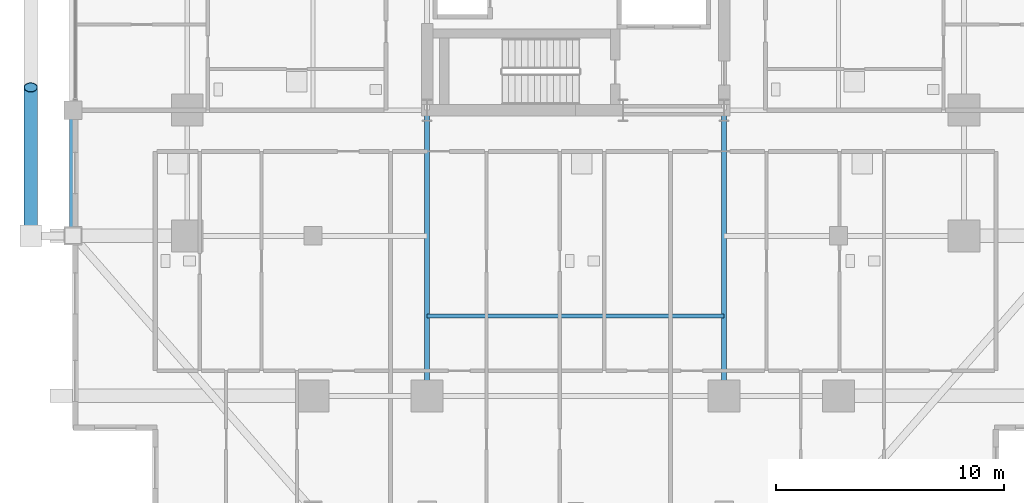
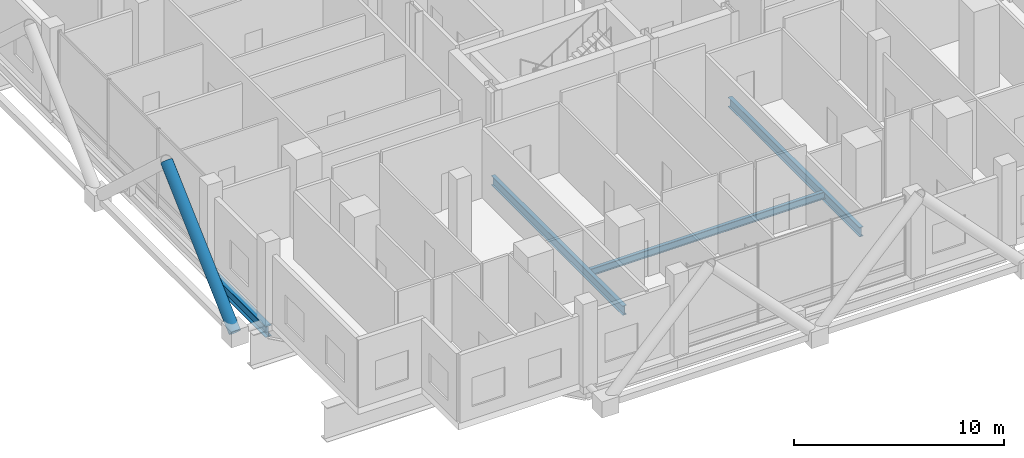
# One storey, part 5 of 33: 4 beams, 1 member.
"""IFC4 building model written with IfcOpenShell, lengths in metres."""

import ifcopenshell
import ifcopenshell.guid

model = None  # the IFC model being written
_history = None  # IfcOwnerHistory: only IFC2X3 demands one
_inside = {}  # id of a spatial element -> (the spatial element, [elements in it])
_under = {}  # id of a project, library or spatial element -> (it, [spatial elements below it])
_declared = {}  # id of a project -> (the project, [libraries it declares])
_typed = {}  # id of a type object -> (the type object, [elements of that type])
_made_of = {}  # id of a material, layer set ... -> (it, [elements and type objects made of it])


def new_model(schema):
    """Start an empty IFC model of exactly this schema.

    Asked for "IFC4X3", IfcOpenShell would pick the latest addendum, in which some entities
    have other attributes; the version numbers below select the first issue.
    IFC2X3 requires an IfcOwnerHistory on every rooted entity: one is made here for all.
    """
    global model, _history
    if schema == "IFC4X3":
        model = ifcopenshell.file(schema_version=(4, 3, 0, 0))
    else:
        model = ifcopenshell.file(schema=schema)
    _inside.clear()
    _under.clear()
    _declared.clear()
    _typed.clear()
    _made_of.clear()
    _history = None
    if model.schema == "IFC2X3":
        org = make("IfcOrganization", Name="unknown")
        user = make(
            "IfcPersonAndOrganization",
            ThePerson=make("IfcPerson", FamilyName="unknown"),
            TheOrganization=org,
        )
        app = make(
            "IfcApplication",
            ApplicationDeveloper=org,
            Version="unknown",
            ApplicationFullName="unknown",
            ApplicationIdentifier="unknown",
        )
        _history = make(
            "IfcOwnerHistory",
            OwningUser=user,
            OwningApplication=app,
            ChangeAction="ADDED",
            CreationDate=0,
        )
    return model


def make(cls, **values):
    """One entity of the class cls with the attributes given. An attribute that is None is left unset."""
    return model.create_entity(
        cls, **{name: value for name, value in values.items() if value is not None}
    )


def rooted(cls, **values):
    """An entity with a GlobalId (a new one), such as an element, a storey or a relation."""
    return make(cls, GlobalId=ifcopenshell.guid.new(), OwnerHistory=_history, **values)


def si_unit(unit_type, name, prefix=None):
    """IfcSIUnit, for example si_unit("LENGTHUNIT", "METRE", prefix="MILLI")."""
    return make("IfcSIUnit", UnitType=unit_type, Prefix=prefix, Name=name)


def assignment(units):
    """IfcUnitAssignment: the units of a project."""
    return None if units is None else make("IfcUnitAssignment", Units=units)


def point(xyz):
    """IfcCartesianPoint."""
    return None if xyz is None else make("IfcCartesianPoint", Coordinates=xyz)


def direction(xyz):
    """IfcDirection."""
    return None if xyz is None else make("IfcDirection", DirectionRatios=xyz)


def frame(location, z_axis=None, x_axis=None):
    """IfcAxis2Placement3D, a coordinate frame: its origin and axes. An axis left out is left unset."""
    return make(
        "IfcAxis2Placement3D",
        Location=point(location),
        Axis=direction(z_axis),
        RefDirection=direction(x_axis),
    )


def frame_2d(location, x_axis=None):
    """IfcAxis2Placement2D, a coordinate frame in the plane: its origin and x axis."""
    return make(
        "IfcAxis2Placement2D", Location=point(location), RefDirection=direction(x_axis)
    )


def origin():
    """The frame at (0, 0, 0) with its axes left unset."""
    return frame((0.0, 0.0, 0.0))


def origin_2d():
    """The frame at (0, 0) in the plane with its x axis left unset."""
    return frame_2d((0.0, 0.0))


def place(relative_to, where):
    """IfcLocalPlacement: puts the frame where relative to a parent placement (None: the world)."""
    return make(
        "IfcLocalPlacement", PlacementRelTo=relative_to, RelativePlacement=where
    )


def context(
    kind, dimensions, precision=None, world=None, true_north=None, identifier=None
):
    """IfcGeometricRepresentationContext, for example the 3D "Model" context."""
    return make(
        "IfcGeometricRepresentationContext",
        ContextIdentifier=identifier,
        ContextType=kind,
        CoordinateSpaceDimension=dimensions,
        Precision=precision,
        WorldCoordinateSystem=world,
        TrueNorth=true_north,
    )


def subcontext(parent, identifier, kind, view, scale=None):
    """IfcGeometricRepresentationSubContext, for example "Body" below "Model"."""
    return make(
        "IfcGeometricRepresentationSubContext",
        ContextIdentifier=identifier,
        ContextType=kind,
        ParentContext=parent,
        TargetScale=scale,
        TargetView=view,
    )


def project(units=None, contexts=None):
    """IfcProject with its units and contexts."""
    return rooted(
        "IfcProject",
        Name="project",
        RepresentationContexts=contexts,
        UnitsInContext=assignment(units),
    )


def spatial(cls, under=None, at=None, **own):
    """A site, building, storey or space (cls), placed at a placement, below another one or the project."""
    s = rooted(cls, ObjectPlacement=at, **own)
    if under is not None:
        _under.setdefault(under.id(), (under, []))[1].append(s)
    return s


def profile(cls, at=None, kind="AREA", **sizes):
    """A parametric profile (cls). Its sizes go by their IFC names, for example OverallWidth=200.0."""
    return make(cls, ProfileType=kind, Position=at, **sizes)


def hollow_circle(**sizes):
    """IfcCircleHollowProfileDef."""
    return profile("IfcCircleHollowProfileDef", **sizes)


def i_section(**sizes):
    """IfcIShapeProfileDef."""
    return profile("IfcIShapeProfileDef", **sizes)


def extrude(swept, where, along, depth):
    """IfcExtrudedAreaSolid: the profile swept, set in the frame where, extruded along a direction by depth."""
    return make(
        "IfcExtrudedAreaSolid",
        SweptArea=swept,
        Position=where,
        ExtrudedDirection=direction(along),
        Depth=depth,
    )


def shape(context_of_items, identifier, shape_type, items):
    """IfcShapeRepresentation: the items that make up one representation, for example the "Body"."""
    return make(
        "IfcShapeRepresentation",
        ContextOfItems=context_of_items,
        RepresentationIdentifier=identifier,
        RepresentationType=shape_type,
        Items=items,
    )


def material(Name=None, Category=None):
    """IfcMaterial."""
    return make("IfcMaterial", Name=Name, Category=Category)


def material_profile(
    of_material, cross_section, Name=None, Category=None, Priority=None
):
    """IfcMaterialProfile: a cross section and its material."""
    return make(
        "IfcMaterialProfile",
        Name=Name,
        Material=of_material,
        Profile=cross_section,
        Priority=Priority,
        Category=Category,
    )


def profile_set(profiles, Name=None, composite=None):
    """IfcMaterialProfileSet."""
    return make(
        "IfcMaterialProfileSet",
        Name=Name,
        MaterialProfiles=profiles,
        CompositeProfile=composite,
    )


def made_of(thing, what):
    """Note that an element or type object is made of a material, layer set ...; save() writes the relation."""
    if what is not None:
        _made_of.setdefault(what.id(), (what, []))[1].append(thing)
    return thing


def type_object(cls, material=None, **own):
    """A type object (cls), such as IfcWallType, which elements share."""
    return made_of(rooted(cls, **own), material)


def element(
    cls,
    number,
    at=None,
    inside=None,
    cuts=None,
    type_object=None,
    material=None,
    context=None,
    identifier="Body",
    shape_type=None,
    held_by="IfcProductDefinitionShape",
    body=None,
    shapes=None,
    **own,
):
    """One element of the class cls, such as IfcWall. Its Tag is "e" and its number.

    at: its placement. inside: the storey or other place that contains it. cuts: it is an
    opening in that element (IfcRelVoidsElement). A single representation is given by context,
    identifier, shape_type and body (its items); several are given by shapes. held_by: the class
    of the entity that holds the representations. save() writes the other relations.
    """
    e = rooted(cls, Tag="e%d" % number, ObjectPlacement=at, **own)
    if body is not None:
        shapes = [shape(context, identifier, shape_type, body)]
    if shapes is not None:
        e.Representation = make(held_by, Representations=shapes)
    if inside is not None:
        _inside.setdefault(inside.id(), (inside, []))[1].append(e)
    if cuts is not None:
        rooted(
            "IfcRelVoidsElement", RelatingBuildingElement=cuts, RelatedOpeningElement=e
        )
    if type_object is not None:
        _typed.setdefault(type_object.id(), (type_object, []))[1].append(e)
    return made_of(e, material)


def aggregate(whole, parts):
    """IfcRelAggregates: a whole, such as a stair, and the parts it consists of."""
    return rooted("IfcRelAggregates", RelatingObject=whole, RelatedObjects=parts)


def save(model, path):
    """Write the relations noted so far, then the file.

    IfcRelAggregates (storeys below a building ...), IfcRelContainedInSpatialStructure (elements
    in a storey), IfcRelDefinesByType, IfcRelAssociatesMaterial and IfcRelDeclares: one each for
    every whole, place, type object, material and project.
    """
    for whole, parts in _under.values():
        aggregate(whole, parts)
    for where, things in _inside.values():
        rooted(
            "IfcRelContainedInSpatialStructure",
            RelatedElements=things,
            RelatingStructure=where,
        )
    for kind, things in _typed.values():
        rooted("IfcRelDefinesByType", RelatedObjects=things, RelatingType=kind)
    for what, things in _made_of.values():
        rooted("IfcRelAssociatesMaterial", RelatedObjects=things, RelatingMaterial=what)
    for by, libraries in _declared.values():
        rooted("IfcRelDeclares", RelatingContext=by, RelatedDefinitions=libraries)
    model.write(path)


model = new_model("IFC4")

# Units and contexts
model_context = context("Model", 3, precision=1e-05, world=origin(), true_north=direction((0.0, 1.0)))
body_context = subcontext(model_context, "Body", "Model", "MODEL_VIEW")
ifc_project = project(units=[si_unit("LENGTHUNIT", "METRE"), si_unit("AREAUNIT", "SQUARE_METRE"), si_unit("VOLUMEUNIT", "CUBIC_METRE"), si_unit("PLANEANGLEUNIT", "RADIAN"), si_unit("MASSUNIT", "GRAM", prefix="KILO")], contexts=[model_context])

# Site, building, storey
site_placement = place(None, origin())
site = spatial("IfcSite", under=ifc_project, at=site_placement, CompositionType="ELEMENT")
building_placement = place(site_placement, origin())
building = spatial("IfcBuilding", under=site, at=building_placement, Name="Barlavira Tower and Art Museum", CompositionType="ELEMENT")
storey_placement = place(building_placement, frame((0.0, 0.0, 27.60009765625)))
storey = spatial("IfcBuildingStorey", under=building, at=storey_placement, Name="L05", CompositionType="ELEMENT", Elevation=27.60009765625)

# Member
ifc_material = material(Name="Steel S355", Category="steel")
ifc_material_profile_1 = material_profile(ifc_material, hollow_circle(Radius=0.304931640625, WallThickness=0.028076171875, at=origin_2d()), Name="CHS 610.0x28.0")
ifc_profile_set_1 = profile_set([ifc_material_profile_1], Name="Steel S355")
member_type = type_object("IfcMemberType", Name="Pale-Metal Exoskeleton Diagrid Tube CHS 610x28 Steel S355", PredefinedType="BRACE", material=ifc_profile_set_1)
member_placement = place(storey_placement, frame((-23.85009765625, -13.0, -0.1201171875), z_axis=(0.0, 0.734803444627, 0.678280102733), x_axis=(-1.0, 0.0, 0.0)))
element("IfcMember", 1, at=member_placement, inside=storey, type_object=member_type, Name="L05 Exoskeleton Diagrid Tube W", PredefinedType="BRACE", context=body_context, shape_type="SweptSolid", body=[
    extrude(hollow_circle(Radius=0.304931640625, WallThickness=0.028076171875, at=origin_2d()), origin(), (0.0, 0.0, 1.0), 8.845947265625),
])

# Beams
ifc_material_profile_2 = material_profile(ifc_material, i_section(OverallWidth=0.327880859375, OverallDepth=0.62890625, WebThickness=0.013916015625, FlangeThickness=0.021484375, at=origin_2d()), Name="W610x174.0")
ifc_profile_set_2 = profile_set([ifc_material_profile_2], Name="Steel S355")
beam_type_1 = type_object("IfcBeamType", Name="Perimeter Spandrel Edge Beam W610x174 Steel S355", PredefinedType="SPANDREL", material=ifc_profile_set_2)
beam_1_placement = place(storey_placement, frame((-22.0, -13.0, -0.714599609375), z_axis=(0.0, 1.0, 0.0), x_axis=(-1.0, 0.0, 0.0)))
element("IfcBeam", 2, at=beam_1_placement, inside=storey, type_object=beam_type_1, Name="L05 Spandrel 15", PredefinedType="SPANDREL", context=body_context, shape_type="SweptSolid", body=[
    extrude(i_section(OverallWidth=0.327880859375, OverallDepth=0.62890625, WebThickness=0.013916015625, FlangeThickness=0.021484375, at=origin_2d()), origin(), (0.0, 0.0, 1.0), 5.5),
])
ifc_material_profile_3 = material_profile(ifc_material, i_section(OverallWidth=0.180908203125, OverallDepth=0.4169921875, WebThickness=0.010986328125, FlangeThickness=0.018310546875, at=origin_2d()), Name="W410x85.0")
ifc_profile_set_3 = profile_set([ifc_material_profile_3], Name="Steel S355")
beam_type_2 = type_object("IfcBeamType", Name="Zone 1 Composite Floor Joist W410x85 Steel S355", PredefinedType="JOIST", material=ifc_profile_set_3)
beam_2_placement = place(storey_placement, frame((-6.5, -16.5, -0.608642578125), z_axis=(1.0, 0.0, 0.0), x_axis=(0.0, 1.0, 0.0)))
element("IfcBeam", 3, at=beam_2_placement, inside=storey, type_object=beam_type_2, Name="L05 Joist C1", PredefinedType="JOIST", context=body_context, shape_type="SweptSolid", body=[
    extrude(i_section(OverallWidth=0.180908203125, OverallDepth=0.4169921875, WebThickness=0.010986328125, FlangeThickness=0.018310546875, at=origin_2d()), origin(), (0.0, 0.0, 1.0), 13.0),
])
ifc_material_profile_4 = material_profile(ifc_material, i_section(OverallWidth=0.214111328125, OverallDepth=0.549072265625, WebThickness=0.0146484375, FlangeThickness=0.023681640625, at=origin_2d()), Name="W530x138.0")
ifc_profile_set_4 = profile_set([ifc_material_profile_4], Name="Steel S355")
beam_type_3 = type_object("IfcBeamType", Name="Zone 1 Primary Floor Girder W530x138 Steel S355", PredefinedType="BEAM", material=ifc_profile_set_4)
for number, where, z_axis, x_axis, name in (
    (4, (-6.5, -20.0, -0.674560546875), (0.0, 1.0, 0.0), (-1.0, 0.0, 0.0), "L05 Girder R-S1"),
    (5, (6.5, -20.0, -0.674560546875), (0.0, 1.0, 0.0), (-1.0, 0.0, 0.0), "L05 Girder R-S2"),
):
    element("IfcBeam", number, at=place(storey_placement, frame(where, z_axis=z_axis, x_axis=x_axis)), inside=storey, type_object=beam_type_3, Name=name, PredefinedType="BEAM", context=body_context, shape_type="SweptSolid", body=[
        extrude(i_section(OverallWidth=0.214111328125, OverallDepth=0.549072265625, WebThickness=0.0146484375, FlangeThickness=0.023681640625, at=origin_2d()), origin(), (0.0, 0.0, 1.0), 12.5),
    ])

save(model, "model.ifc")
